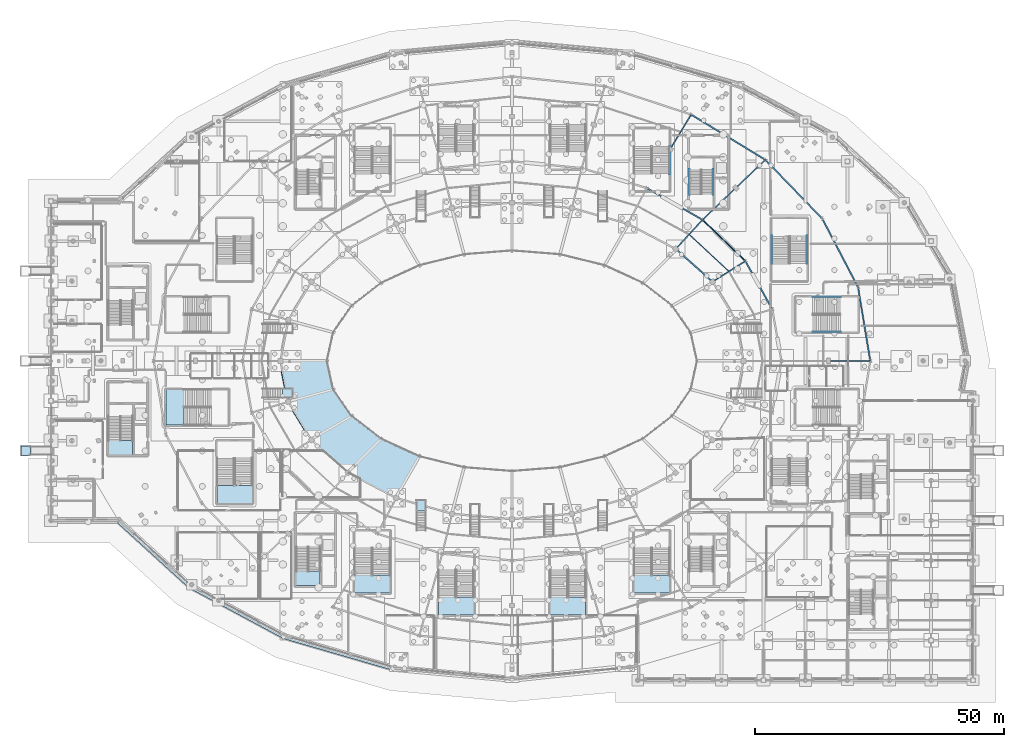
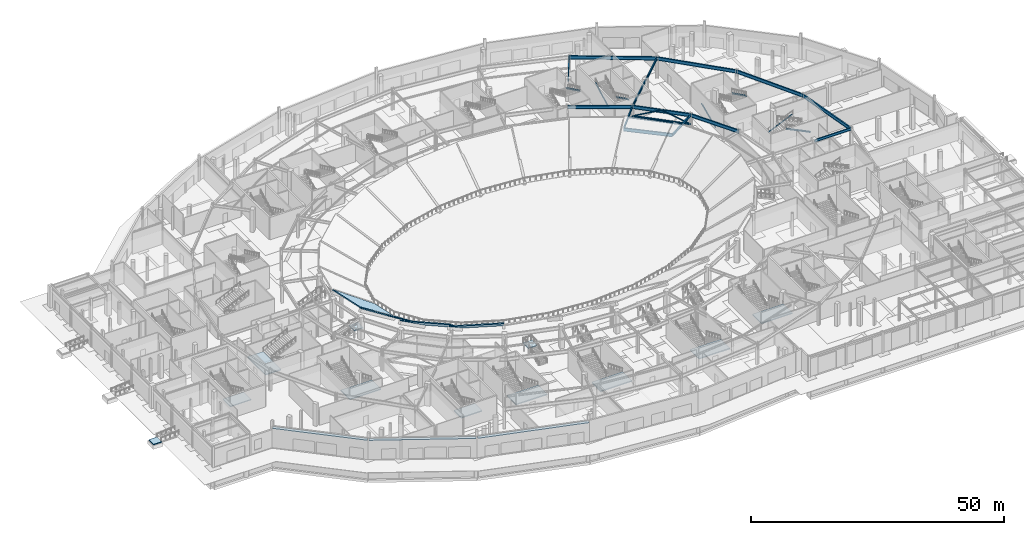
# One storey, part 38 of 93: 16 beams, 15 slabs, 9 members, 3 plates, 10 elements without a shape of their own.
"""IFC4 building model written with IfcOpenShell, lengths in metres."""

from ifc_helpers import new_model, si_unit, direction, frame, origin, origin_2d, place, context, subcontext, project, spatial, polyline, rectangle, hollow_circle, i_section, outline, extrude, material, layer, layer_set, material_profile, profile_set, type_object, element, aggregate, save


model = new_model("IFC4")

# Units and contexts
model_context = context("Model", 3, precision=1e-05, world=origin(), true_north=direction((0.0, 1.0)))
body_context = subcontext(model_context, "Body", "Model", "MODEL_VIEW")
ifc_project = project(units=[si_unit("LENGTHUNIT", "METRE"), si_unit("AREAUNIT", "SQUARE_METRE"), si_unit("VOLUMEUNIT", "CUBIC_METRE"), si_unit("PLANEANGLEUNIT", "RADIAN"), si_unit("MASSUNIT", "GRAM", prefix="KILO")], contexts=[model_context])

# Site, building, storey
site_placement = place(None, origin())
site = spatial("IfcSite", under=ifc_project, at=site_placement, CompositionType="ELEMENT")
building_placement = place(site_placement, origin())
building = spatial("IfcBuilding", under=site, at=building_placement, Name="Kalgoora Escarpment Arena", CompositionType="ELEMENT")
storey_placement = place(building_placement, origin())
storey = spatial("IfcBuildingStorey", under=building, at=storey_placement, Name="L00", CompositionType="ELEMENT", Elevation=0.0)

# Beams
ifc_material_1 = material(Name="Structural steel AS/NZS 3679 (300 MPa)", Category="steel")
ifc_material_profile_1 = material_profile(ifc_material_1, i_section(OverallWidth=0.1708984375, OverallDepth=0.35205078125, WebThickness=0.0068359375, FlangeThickness=0.009765625, at=origin_2d()))
ifc_profile_set_1 = profile_set([ifc_material_profile_1], Name="Structural steel AS/NZS 3679 (300 MPa)")
beam_type_1 = type_object("IfcBeamType", Name="BM-BEAM-360UB44.7", PredefinedType="BEAM", material=ifc_profile_set_1)
beam_1_placement = place(storey_placement, frame((139.165283203125, 84.0, 2.52392578125), z_axis=(-0.719462119733, 0.694531682696, 0.0), x_axis=(-0.694531682696, -0.719462119733, 0.0)))
element("IfcBeam", 1, at=beam_1_placement, inside=storey, type_object=beam_type_1, Name="L00 Portal brace collector beam 360UB44.7", PredefinedType="BEAM", context=body_context, shape_type="SweptSolid", body=[
    extrude(i_section(OverallWidth=0.1708984375, OverallDepth=0.35205078125, WebThickness=0.0068359375, FlangeThickness=0.009765625, at=origin_2d()), origin(), (0.0, 0.0, 1.0), 11.927734375),
])
ifc_material_2 = material(Name="Structural steel AS/NZS 3679 (300 MPa)", Category="steel")
ifc_material_profile_2 = material_profile(ifc_material_2, i_section(OverallWidth=0.172119140625, OverallDepth=0.35888671875, WebThickness=0.008056640625, FlangeThickness=0.012939453125, at=origin_2d()))
ifc_profile_set_2 = profile_set([ifc_material_profile_2], Name="Structural steel AS/NZS 3679 (300 MPa)")
beam_type_2 = type_object("IfcBeamType", Name="BM-BEAM-360UB56.7", PredefinedType="BEAM", material=ifc_profile_set_2)
beam_2_placement = place(storey_placement, frame((135.87890625, 81.929931640625, 4.9404296875), z_axis=(-0.731952134081, 0.681356054801, 0.0), x_axis=(-0.681356054801, -0.731952134081, 0.0)))
element("IfcBeam", 2, at=beam_2_placement, inside=storey, type_object=beam_type_2, Name="L00 Concourse secondary ring beam 360UB56.7", PredefinedType="BEAM", context=body_context, shape_type="SweptSolid", body=[
    extrude(i_section(OverallWidth=0.172119140625, OverallDepth=0.35888671875, WebThickness=0.008056640625, FlangeThickness=0.012939453125, at=origin_2d()), origin(), (0.0, 0.0, 1.0), 10.900390625),
])
ifc_material_3 = material(Name="Structural steel AS/NZS 3679 (300 MPa)", Category="steel")
ifc_material_profile_3 = material_profile(ifc_material_3, i_section(OverallWidth=0.22900390625, OverallDepth=0.612060546875, WebThickness=0.011962890625, FlangeThickness=0.01953125, at=origin_2d()))
ifc_profile_set_3 = profile_set([ifc_material_profile_3], Name="Structural steel AS/NZS 3679 (300 MPa)")
beam_type_3 = type_object("IfcBeamType", Name="BM-GIRDER-610UB125", PredefinedType="USERDEFINED", material=ifc_profile_set_3)
beam_3_placement = place(storey_placement, frame((155.800048828125, 64.0, 4.81396484375), z_axis=(1.0, 0.0, 0.0), x_axis=(0.0, 1.0, 0.0)))
element("IfcBeam", 3, at=beam_3_placement, inside=storey, type_object=beam_type_3, Name="L00 Radial concourse girder 610UB125", ObjectType="GIRDER", PredefinedType="USERDEFINED", context=body_context, shape_type="SweptSolid", body=[
    extrude(i_section(OverallWidth=0.22900390625, OverallDepth=0.612060546875, WebThickness=0.011962890625, FlangeThickness=0.01953125, at=origin_2d()), origin(), (0.0, 0.0, 1.0), 8.39990234375),
])
beam_4_placement = place(storey_placement, frame((132.59228515625, 79.860107421875, 4.81396484375), z_axis=(0.846155154639, 0.532936632516, 0.0), x_axis=(-0.532936632516, 0.846155154639, 0.0)))
element("IfcBeam", 4, at=beam_4_placement, inside=storey, type_object=beam_type_3, Name="L00 Radial concourse girder 610UB125", ObjectType="GIRDER", PredefinedType="USERDEFINED", context=body_context, shape_type="SweptSolid", body=[
    extrude(i_section(OverallWidth=0.22900390625, OverallDepth=0.612060546875, WebThickness=0.011962890625, FlangeThickness=0.01953125, at=origin_2d()), origin(), (0.0, 0.0, 1.0), 7.76806640625),
])
beam_5_placement = place(storey_placement, frame((125.216796875, 86.429443359375, 4.81396484375), z_axis=(0.675731588221, 0.737147760412, 0.0), x_axis=(-0.737147760412, 0.675731588221, 0.0)))
element("IfcBeam", 5, at=beam_5_placement, inside=storey, type_object=beam_type_3, Name="L00 Radial concourse girder 610UB125", ObjectType="GIRDER", PredefinedType="USERDEFINED", context=body_context, shape_type="SweptSolid", body=[
    extrude(i_section(OverallWidth=0.22900390625, OverallDepth=0.612060546875, WebThickness=0.011962890625, FlangeThickness=0.01953125, at=origin_2d()), origin(), (0.0, 0.0, 1.0), 7.9423828125),
])
beam_6_placement = place(storey_placement, frame((130.583740234375, 92.2841796875, 4.81396484375), z_axis=(0.722313931554, 0.691565314546, 0.0), x_axis=(-0.691565314546, 0.722313931554, 0.0)))
element("IfcBeam", 6, at=beam_6_placement, inside=storey, type_object=beam_type_3, Name="L00 Radial concourse girder 610UB125", ObjectType="GIRDER", PredefinedType="USERDEFINED", context=body_context, shape_type="SweptSolid", body=[
    extrude(i_section(OverallWidth=0.22900390625, OverallDepth=0.612060546875, WebThickness=0.011962890625, FlangeThickness=0.01953125, at=origin_2d()), origin(), (0.0, 0.0, 1.0), 9.202392578125),
])
beam_7_placement = place(storey_placement, frame((137.230712890625, 98.648193359375, 4.81396484375), z_axis=(0.724130144905, 0.689663347757, 0.0), x_axis=(-0.689663347757, 0.724130144905, 0.0)))
element("IfcBeam", 7, at=beam_7_placement, inside=storey, type_object=beam_type_3, Name="L00 Radial concourse girder 610UB125", ObjectType="GIRDER", PredefinedType="USERDEFINED", context=body_context, shape_type="SweptSolid", body=[
    extrude(i_section(OverallWidth=0.22900390625, OverallDepth=0.612060546875, WebThickness=0.011962890625, FlangeThickness=0.01953125, at=origin_2d()), origin(), (0.0, 0.0, 1.0), 8.20263671875),
])
beam_8_placement = place(storey_placement, frame((124.10009765625, 106.435302734375, 4.81396484375), z_axis=(0.518407902139, 0.85513346736, 0.0), x_axis=(-0.85513346736, 0.518407902139, 0.0)))
element("IfcBeam", 8, at=beam_8_placement, inside=storey, type_object=beam_type_3, Name="L00 Radial concourse girder 610UB125", ObjectType="GIRDER", PredefinedType="USERDEFINED", context=body_context, shape_type="SweptSolid", body=[
    extrude(i_section(OverallWidth=0.22900390625, OverallDepth=0.612060546875, WebThickness=0.011962890625, FlangeThickness=0.01953125, at=origin_2d()), origin(), (0.0, 0.0, 1.0), 8.1015625),
])
ifc_material_4 = material(Name="Structural steel AS/NZS 3679 (300 MPa)", Category="steel")
ifc_material_profile_4 = material_profile(ifc_material_4, i_section(OverallWidth=0.27490234375, OverallDepth=0.800048828125, WebThickness=0.011962890625, FlangeThickness=0.02197265625, at=origin_2d()))
ifc_profile_set_4 = profile_set([ifc_material_profile_4], Name="Structural steel AS/NZS 3679 (300 MPa)")
beam_type_4 = type_object("IfcBeamType", Name="BM-GIRDER-800WB168", PredefinedType="USERDEFINED", material=ifc_profile_set_4)
beam_9_placement = place(storey_placement, frame((144.56005859375, 74.352783203125, 4.719970703125), z_axis=(-0.488075296374, 0.872801526734, 0.0), x_axis=(-0.872801526734, -0.488075296374, 0.0)))
element("IfcBeam", 9, at=beam_9_placement, inside=storey, type_object=beam_type_4, Name="L00 Circumferential concourse girder RMAIN 800WB168", ObjectType="GIRDER", PredefinedType="USERDEFINED", context=body_context, shape_type="SweptSolid", body=[
    extrude(i_section(OverallWidth=0.27490234375, OverallDepth=0.800048828125, WebThickness=0.011962890625, FlangeThickness=0.02197265625, at=origin_2d()), origin(), (0.0, 0.0, 1.0), 11.05322265625),
])
beam_10_placement = place(storey_placement, frame((132.59228515625, 79.860107421875, 4.719970703125), z_axis=(-0.746737965203, 0.665118343849, 0.0), x_axis=(-0.665118343849, -0.746737965203, 0.0)))
element("IfcBeam", 10, at=beam_10_placement, inside=storey, type_object=beam_type_4, Name="L00 Circumferential concourse girder RMID 800WB168", ObjectType="GIRDER", PredefinedType="USERDEFINED", context=body_context, shape_type="SweptSolid", body=[
    extrude(i_section(OverallWidth=0.27490234375, OverallDepth=0.800048828125, WebThickness=0.011962890625, FlangeThickness=0.02197265625, at=origin_2d()), origin(), (0.0, 0.0, 1.0), 9.876953125),
])
beam_11_placement = place(storey_placement, frame((139.165283203125, 84.0, 4.719970703125), z_axis=(-0.719462119733, 0.694531682696, 0.0), x_axis=(-0.694531682696, -0.719462119733, 0.0)))
element("IfcBeam", 11, at=beam_11_placement, inside=storey, type_object=beam_type_4, Name="L00 Circumferential concourse girder RMAIN 800WB168", ObjectType="GIRDER", PredefinedType="USERDEFINED", context=body_context, shape_type="SweptSolid", body=[
    extrude(i_section(OverallWidth=0.27490234375, OverallDepth=0.800048828125, WebThickness=0.011962890625, FlangeThickness=0.02197265625, at=origin_2d()), origin(), (0.0, 0.0, 1.0), 11.927734375),
])
beam_12_placement = place(storey_placement, frame((130.583740234375, 92.2841796875, 4.719970703125), z_axis=(-0.869373733104, 0.494155149917, 0.0), x_axis=(-0.494155149917, -0.869373733104, 0.0)))
element("IfcBeam", 12, at=beam_12_placement, inside=storey, type_object=beam_type_4, Name="L00 Circumferential concourse girder RMAIN 800WB168", ObjectType="GIRDER", PredefinedType="USERDEFINED", context=body_context, shape_type="SweptSolid", body=[
    extrude(i_section(OverallWidth=0.27490234375, OverallDepth=0.800048828125, WebThickness=0.011962890625, FlangeThickness=0.02197265625, at=origin_2d()), origin(), (0.0, 0.0, 1.0), 12.8642578125),
])
ifc_material_5 = material(Name="Structural steel AS/NZS 3679 (300 MPa)", Category="steel")
ifc_material_profile_5 = material_profile(ifc_material_5, i_section(OverallWidth=0.27490234375, OverallDepth=0.800048828125, WebThickness=0.011962890625, FlangeThickness=0.02197265625, at=origin_2d()))
ifc_profile_set_5 = profile_set([ifc_material_profile_5], Name="Structural steel AS/NZS 3679 (300 MPa)")
beam_type_5 = type_object("IfcBeamType", Name="BM-SPANDREL-800WB168", PredefinedType="SPANDREL", material=ifc_profile_set_5)
beam_13_placement = place(storey_placement, frame((164.199951171875, 64.0, 4.719970703125), z_axis=(-0.163602052226, 0.986526415514, 0.0), x_axis=(-0.986526415514, -0.163602052226, 0.0)))
element("IfcBeam", 13, at=beam_13_placement, inside=storey, type_object=beam_type_5, Name="L00 Circumferential concourse girder RCONC2 800WB168", PredefinedType="SPANDREL", context=body_context, shape_type="SweptSolid", body=[
    extrude(i_section(OverallWidth=0.27490234375, OverallDepth=0.800048828125, WebThickness=0.011962890625, FlangeThickness=0.02197265625, at=origin_2d()), origin(), (0.0, 0.0, 1.0), 14.9541015625),
])
beam_14_placement = place(storey_placement, frame((161.75341796875, 78.752685546875, 4.719970703125), z_axis=(-0.462583225327, 0.886575862319, 0.0), x_axis=(-0.886575862319, -0.462583225327, 0.0)))
element("IfcBeam", 14, at=beam_14_placement, inside=storey, type_object=beam_type_5, Name="L00 Circumferential concourse girder RCONC2 800WB168", PredefinedType="SPANDREL", context=body_context, shape_type="SweptSolid", body=[
    extrude(i_section(OverallWidth=0.27490234375, OverallDepth=0.800048828125, WebThickness=0.011962890625, FlangeThickness=0.02197265625, at=origin_2d()), origin(), (0.0, 0.0, 1.0), 15.506103515625),
])
beam_15_placement = place(storey_placement, frame((154.58056640625, 92.5, 4.719970703125), z_axis=(-0.694974435465, 0.719034445663, 0.0), x_axis=(-0.719034445663, -0.694974435465, 0.0)))
element("IfcBeam", 15, at=beam_15_placement, inside=storey, type_object=beam_type_5, Name="L00 Circumferential concourse girder RCONC2 800WB168", PredefinedType="SPANDREL", context=body_context, shape_type="SweptSolid", body=[
    extrude(i_section(OverallWidth=0.27490234375, OverallDepth=0.800048828125, WebThickness=0.011962890625, FlangeThickness=0.02197265625, at=origin_2d()), origin(), (0.0, 0.0, 1.0), 16.418212890625),
])
beam_16_placement = place(storey_placement, frame((143.17041015625, 104.30517578125, 4.719970703125), z_axis=(-0.854030640858, 0.520222706613, 0.0), x_axis=(-0.520222706613, -0.854030640858, 0.0)))
element("IfcBeam", 16, at=beam_16_placement, inside=storey, type_object=beam_type_5, Name="L00 Circumferential concourse girder RCONC2 800WB168", PredefinedType="SPANDREL", context=body_context, shape_type="SweptSolid", body=[
    extrude(i_section(OverallWidth=0.27490234375, OverallDepth=0.800048828125, WebThickness=0.011962890625, FlangeThickness=0.02197265625, at=origin_2d()), origin(), (0.0, 0.0, 1.0), 17.411865234375),
])

# Members
ifc_material_6 = material(Name="Structural steel C350 (350 MPa)", Category="steel")
ifc_material_profile_6 = material_profile(ifc_material_6, hollow_circle(Radius=0.136474609375, WallThickness=0.00927734375, at=origin_2d()))
ifc_profile_set_6 = profile_set([ifc_material_profile_6], Name="Structural steel C350 (350 MPa)")
member_type_1 = type_object("IfcMemberType", Name="MEM-BRACE-CHS273", PredefinedType="BRACE", material=ifc_profile_set_6)
for number, where, z_axis, x_axis, name in (
    (17, (139.165283203125, 84.0, 2.52001953125), (-0.66628014201, 0.643192539934, 0.377324964633), (-0.694531682696, -0.719462119733, 0.0), "L00 concentric lateral brace R03-1"),
    (18, (130.583740234375, 92.2841796875, 2.52001953125), (0.66628014201, -0.643192539934, 0.377324964633), (0.694531682696, 0.719462119733, 0.0), "L00 concentric lateral brace R03-2"),
):
    element("IfcMember", number, at=place(storey_placement, frame(where, z_axis=z_axis, x_axis=x_axis)), inside=storey, type_object=member_type_1, Name=name, PredefinedType="BRACE", context=body_context, shape_type="SweptSolid", body=[
        extrude(hollow_circle(Radius=0.136474609375, WallThickness=0.00927734375, at=origin_2d()), origin(), (0.0, 0.0, 1.0), 6.43994140625),
    ])
ifc_material_7 = material(Name="Structural steel AS/NZS 3679 (300 MPa)", Category="steel")
ifc_material_profile_7 = material_profile(ifc_material_7, i_section(OverallWidth=0.090087890625, OverallDepth=0.300048828125, WebThickness=0.008056640625, FlangeThickness=0.01611328125, at=origin_2d()))
ifc_profile_set_7 = profile_set([ifc_material_profile_7], Name="Structural steel AS/NZS 3679 (300 MPa)")
member_type_2 = type_object("IfcMemberType", Name="MEM-STRINGER-PFC", PredefinedType="STRINGER", material=ifc_profile_set_7)
member_1_placement = place(storey_placement, frame((132.72998046875, 102.31005859375, 0.219970703125), z_axis=(0.0, -0.89552873601, 0.445003688727), x_axis=(1.0, 0.0, 0.0)))
element("IfcMember", 19, at=member_1_placement, inside=storey, type_object=member_type_2, Name="ST04 L00 steel stair stringer 1", PredefinedType="STRINGER", context=body_context, shape_type="SweptSolid", body=[
    extrude(i_section(OverallWidth=0.090087890625, OverallDepth=0.300048828125, WebThickness=0.008056640625, FlangeThickness=0.01611328125, at=origin_2d()), origin(), (0.0, 0.0, 1.0), 5.48291015625),
])
member_2_placement = place(storey_placement, frame((127.969970703125, 97.39990234375, 2.659912109375), z_axis=(0.0, 0.876245342812, 0.481865229291), x_axis=(-1.0, 0.0, 0.0)))
element("IfcMember", 20, at=member_2_placement, inside=storey, type_object=member_type_2, Name="ST04 L00 steel stair stringer 2", PredefinedType="STRINGER", context=body_context, shape_type="SweptSolid", body=[
    extrude(i_section(OverallWidth=0.090087890625, OverallDepth=0.300048828125, WebThickness=0.008056640625, FlangeThickness=0.01611328125, at=origin_2d()), origin(), (0.0, 0.0, 1.0), 5.603515625),
])
member_3_placement = place(storey_placement, frame((123.929931640625, 106.9951171875, 2.659912109375), z_axis=(0.0, -0.897817331148, 0.440368073196), x_axis=(1.0, 0.0, 0.0)))
element("IfcMember", 21, at=member_3_placement, inside=storey, type_object=member_type_2, Name="ST12 L00 steel stair stringer 2", PredefinedType="STRINGER", context=body_context, shape_type="SweptSolid", body=[
    extrude(i_section(OverallWidth=0.090087890625, OverallDepth=0.300048828125, WebThickness=0.008056640625, FlangeThickness=0.01611328125, at=origin_2d()), origin(), (0.0, 0.0, 1.0), 6.131591796875),
])
member_4_placement = place(storey_placement, frame((152.68994140625, 76.830078125, 0.219970703125), z_axis=(0.914229045155, 0.0, 0.405197794904), x_axis=(0.0, 1.0, 0.0)))
element("IfcMember", 22, at=member_4_placement, inside=storey, type_object=member_type_2, Name="ST21 L00 steel stair stringer 1", PredefinedType="STRINGER", context=body_context, shape_type="SweptSolid", body=[
    extrude(i_section(OverallWidth=0.090087890625, OverallDepth=0.300048828125, WebThickness=0.008056640625, FlangeThickness=0.01611328125, at=origin_2d()), origin(), (0.0, 0.0, 1.0), 6.021484375),
])
member_5_placement = place(storey_placement, frame((158.195068359375, 69.77001953125, 2.659912109375), z_axis=(-0.897817331148, 0.0, 0.440368073196), x_axis=(0.0, -1.0, 0.0)))
element("IfcMember", 23, at=member_5_placement, inside=storey, type_object=member_type_2, Name="ST21 L00 steel stair stringer 2", PredefinedType="STRINGER", context=body_context, shape_type="SweptSolid", body=[
    extrude(i_section(OverallWidth=0.090087890625, OverallDepth=0.300048828125, WebThickness=0.008056640625, FlangeThickness=0.01611328125, at=origin_2d()), origin(), (0.0, 0.0, 1.0), 6.131591796875),
])
member_6_placement = place(storey_placement, frame((144.469970703125, 83.489990234375, 0.219970703125), z_axis=(0.0, 0.914229045155, 0.405197794904), x_axis=(-1.0, 0.0, 0.0)))
element("IfcMember", 24, at=member_6_placement, inside=storey, type_object=member_type_2, Name="ST23 L00 steel stair stringer 1", PredefinedType="STRINGER", context=body_context, shape_type="SweptSolid", body=[
    extrude(i_section(OverallWidth=0.090087890625, OverallDepth=0.300048828125, WebThickness=0.008056640625, FlangeThickness=0.01611328125, at=origin_2d()), origin(), (0.0, 0.0, 1.0), 6.021484375),
])
member_7_placement = place(storey_placement, frame((151.530029296875, 88.9951171875, 2.659912109375), z_axis=(0.0, -0.897817331148, 0.440368073196), x_axis=(1.0, 0.0, 0.0)))
element("IfcMember", 25, at=member_7_placement, inside=storey, type_object=member_type_2, Name="ST23 L00 steel stair stringer 2", PredefinedType="STRINGER", context=body_context, shape_type="SweptSolid", body=[
    extrude(i_section(OverallWidth=0.090087890625, OverallDepth=0.300048828125, WebThickness=0.008056640625, FlangeThickness=0.01611328125, at=origin_2d()), origin(), (0.0, 0.0, 1.0), 6.131591796875),
])

# Plates
ifc_material_8 = material(Name="Champagne anodised Art Deco solar brise-soleil hood", Category="aluminium")
ifc_layer_1 = layer(ifc_material_8, 0.1201171875)
ifc_layer_set_1 = layer_set([ifc_layer_1], Name="PLT-DECO-EYEBROW")
plate_type = type_object("IfcPlateType", Name="PLT-DECO-EYEBROW", PredefinedType="SHEET", material=ifc_layer_set_1)
plate_1_placement = place(storey_placement, frame((57.77001953125, 5.464599609375, 4.869873046875), z_axis=(0.0, 0.0, 1.0), x_axis=(-0.960488224179, 0.278320626641, 0.0)))
element("IfcPlate", 26, at=plate_1_placement, inside=storey, type_object=plate_type, Name="L00 Art Deco horizontal solar brise-soleil eyebrow 007", PredefinedType="SHEET", context=body_context, shape_type="SweptSolid", body=[
    extrude(rectangle(XDim=22.60107421875, YDim=0.719970703125, at=origin_2d()), origin(), (0.0, 0.0, 1.0), 0.1201171875),
])
plate_2_placement = place(storey_placement, frame((37.30859375, 13.72900390625, 4.869873046875), z_axis=(0.0, 0.0, 1.0), x_axis=(-0.881055904267, 0.47301214948, 0.0)))
element("IfcPlate", 27, at=plate_2_placement, inside=storey, type_object=plate_type, Name="L00 Art Deco horizontal solar brise-soleil eyebrow 008", PredefinedType="SHEET", context=body_context, shape_type="SweptSolid", body=[
    extrude(rectangle(XDim=21.136962890625, YDim=0.719970703125, at=origin_2d()), origin(), (0.0, 0.0, 1.0), 0.1201171875),
])
plate_3_placement = place(storey_placement, frame((20.652587890625, 25.369384765625, 4.869873046875), z_axis=(0.0, 0.0, 1.0), x_axis=(-0.739043499209, 0.673657707057, 0.0)))
element("IfcPlate", 28, at=plate_3_placement, inside=storey, type_object=plate_type, Name="L00 Art Deco horizontal solar brise-soleil eyebrow 009", PredefinedType="SHEET", context=body_context, shape_type="SweptSolid", body=[
    extrude(rectangle(XDim=19.1640625, YDim=0.719970703125, at=origin_2d()), origin(), (0.0, 0.0, 1.0), 0.1201171875),
])

# Slab
ifc_material_9 = material(Name="Concrete N40 (fc' 40 MPa)", Category="concrete")
ifc_layer_2 = layer(ifc_material_9, 0.199951171875)
ifc_layer_set_2 = layer_set([ifc_layer_2], Name="SLB-RAMP-LAND-200")
slab_type_1 = type_object("IfcSlabType", Name="SLB-RAMP-LAND-200", PredefinedType="LANDING", material=ifc_layer_set_2)
slab_1_placement = place(storey_placement, frame((0.0, 0.0, -0.5)))
element("IfcSlab", 29, at=slab_1_placement, inside=storey, type_object=slab_type_1, Name="Accessible ramp RMP-01 lower threshold landing", PredefinedType="LANDING", context=body_context, shape_type="SweptSolid", body=[
    extrude(outline(polyline([(-6.0, 45.050048828125), (-4.10009765625, 45.050048828125), (-4.10009765625, 46.949951171875), (-6.0, 46.949951171875), (-6.0, 45.050048828125)])), origin(), (0.0, 0.0, 1.0), 0.199951171875),
])

# Stair, slab
ifc_material_10 = material(Name="Concrete N40 (fc' 40 MPa)", Category="concrete")
stair_type_1 = type_object("IfcStairType", Name="STR-EXIT-2", PredefinedType="HALF_TURN_STAIR", material=ifc_material_10)
stair_1_placement = place(storey_placement, origin())
stair_1 = element("IfcStair", 30, at=stair_1_placement, inside=storey, type_object=stair_type_1, Name="Fire-isolated exit stair ST02 (L00)", PredefinedType="HALF_TURN_STAIR")
ifc_material_11 = material(Name="Concrete N40 (fc' 40 MPa)", Category="concrete")
ifc_layer_3 = layer(ifc_material_11, 0.219970703125)
ifc_layer_set_3 = layer_set([ifc_layer_3], Name="SLB-ST-LAND-220")
slab_type_2 = type_object("IfcSlabType", Name="SLB-ST-LAND-220", PredefinedType="LANDING", material=ifc_layer_set_3)
slab_2_placement = place(storey_placement, frame((0.0, 0.0, 2.47998046875)))
slab_2 = element("IfcSlab", 31, at=slab_2_placement, type_object=slab_type_2, Name="ST02 L00 half-landing", PredefinedType="LANDING", context=body_context, shape_type="SweptSolid", body=[
    extrude(outline(polyline([(16.35009765625, 48.050048828125), (16.35009765625, 45.14990234375), (11.550048828125, 45.14990234375), (11.550048828125, 48.050048828125), (16.35009765625, 48.050048828125)])), origin(), (0.0, 0.0, 1.0), 0.219970703125),
])
aggregate(stair_1, [slab_2])

ifc_material_12 = material(Name="Concrete N40 (fc' 40 MPa)", Category="concrete")
stair_type_2 = type_object("IfcStairType", Name="STR-EXIT-1", PredefinedType="HALF_TURN_STAIR", material=ifc_material_12)
stair_2_placement = place(storey_placement, origin())
stair_2 = element("IfcStair", 32, at=stair_2_placement, inside=storey, type_object=stair_type_2, Name="Fire-isolated exit stair ST05 (L00)", PredefinedType="HALF_TURN_STAIR")
slab_3_placement = place(storey_placement, frame((0.0, 0.0, 2.47998046875)))
slab_3 = element("IfcSlab", 33, at=slab_3_placement, type_object=slab_type_2, Name="ST05 L00 half-landing", PredefinedType="LANDING", context=body_context, shape_type="SweptSolid", body=[
    extrude(outline(polyline([(53.949951171875, 21.85009765625), (53.949951171875, 18.949951171875), (49.14990234375, 18.949951171875), (49.14990234375, 21.85009765625), (53.949951171875, 21.85009765625)])), origin(), (0.0, 0.0, 1.0), 0.219970703125),
])
aggregate(stair_2, [slab_3])

ifc_material_13 = material(Name="Precast concrete N50 (fc' 50 MPa)", Category="concrete")
stair_type_3 = type_object("IfcStairType", Name="STR-STAD-1", PredefinedType="HALF_TURN_STAIR", material=ifc_material_13)
stair_3_placement = place(storey_placement, origin())
stair_3 = element("IfcStair", 34, at=stair_3_placement, inside=storey, type_object=stair_type_3, Name="Fire-isolated exit stair ST13 (L00)", PredefinedType="HALF_TURN_STAIR")
slab_4_placement = place(storey_placement, frame((0.0, 0.0, 2.47998046875)))
slab_4 = element("IfcSlab", 35, at=slab_4_placement, type_object=slab_type_2, Name="ST13 L00 half-landing", PredefinedType="LANDING", context=body_context, shape_type="SweptSolid", body=[
    extrude(outline(polyline([(67.949951171875, 21.054931640625), (67.949951171875, 17.449951171875), (60.85009765625, 17.449951171875), (60.85009765625, 21.054931640625), (67.949951171875, 21.054931640625)])), origin(), (0.0, 0.0, 1.0), 0.219970703125),
])
aggregate(stair_3, [slab_4])

ifc_material_14 = material(Name="Precast concrete N50 (fc' 50 MPa)", Category="concrete")
stair_type_4 = type_object("IfcStairType", Name="STR-STAD-2", PredefinedType="HALF_TURN_STAIR", material=ifc_material_14)
stair_4_placement = place(storey_placement, origin())
stair_4 = element("IfcStair", 36, at=stair_4_placement, inside=storey, type_object=stair_type_4, Name="Fire-isolated exit stair ST14 (L00)", PredefinedType="HALF_TURN_STAIR")
slab_5_placement = place(storey_placement, frame((0.0, 0.0, 2.47998046875)))
slab_5 = element("IfcSlab", 37, at=slab_5_placement, type_object=slab_type_2, Name="ST14 L00 half-landing", PredefinedType="LANDING", context=body_context, shape_type="SweptSolid", body=[
    extrude(outline(polyline([(84.75, 16.655029296875), (84.75, 13.050048828125), (77.64990234375, 13.050048828125), (77.64990234375, 16.655029296875), (84.75, 16.655029296875)])), origin(), (0.0, 0.0, 1.0), 0.219970703125),
])
aggregate(stair_4, [slab_5])

ifc_material_15 = material(Name="Precast concrete N50 (fc' 50 MPa)", Category="concrete")
stair_type_5 = type_object("IfcStairType", Name="STR-STAD-3", PredefinedType="HALF_TURN_STAIR", material=ifc_material_15)
stair_5_placement = place(storey_placement, origin())
stair_5 = element("IfcStair", 38, at=stair_5_placement, inside=storey, type_object=stair_type_5, Name="Fire-isolated exit stair ST15 (L00)", PredefinedType="HALF_TURN_STAIR")
slab_6_placement = place(storey_placement, frame((0.0, 0.0, 2.47998046875)))
slab_6 = element("IfcSlab", 39, at=slab_6_placement, type_object=slab_type_2, Name="ST15 L00 half-landing", PredefinedType="LANDING", context=body_context, shape_type="SweptSolid", body=[
    extrude(outline(polyline([(107.14990234375, 16.655029296875), (107.14990234375, 13.050048828125), (100.050048828125, 13.050048828125), (100.050048828125, 16.655029296875), (107.14990234375, 16.655029296875)])), origin(), (0.0, 0.0, 1.0), 0.219970703125),
])
aggregate(stair_5, [slab_6])

ifc_material_16 = material(Name="Precast concrete N50 (fc' 50 MPa)", Category="concrete")
stair_type_6 = type_object("IfcStairType", Name="STR-STAD-4", PredefinedType="HALF_TURN_STAIR", material=ifc_material_16)
stair_6_placement = place(storey_placement, origin())
stair_6 = element("IfcStair", 40, at=stair_6_placement, inside=storey, type_object=stair_type_6, Name="Fire-isolated exit stair ST16 (L00)", PredefinedType="HALF_TURN_STAIR")
slab_7_placement = place(storey_placement, frame((0.0, 0.0, 2.47998046875)))
slab_7 = element("IfcSlab", 41, at=slab_7_placement, type_object=slab_type_2, Name="ST16 L00 half-landing", PredefinedType="LANDING", context=body_context, shape_type="SweptSolid", body=[
    extrude(outline(polyline([(123.949951171875, 21.054931640625), (123.949951171875, 17.449951171875), (116.85009765625, 17.449951171875), (116.85009765625, 21.054931640625), (123.949951171875, 21.054931640625)])), origin(), (0.0, 0.0, 1.0), 0.219970703125),
])
aggregate(stair_6, [slab_7])

stair_7_placement = place(storey_placement, origin())
stair_7 = element("IfcStair", 42, at=stair_7_placement, inside=storey, type_object=stair_type_4, Name="Fire-isolated exit stair ST18 (L00)", PredefinedType="HALF_TURN_STAIR")
slab_8_placement = place(storey_placement, frame((0.0, 0.0, 2.47998046875)))
slab_8 = element("IfcSlab", 43, at=slab_8_placement, type_object=slab_type_2, Name="ST18 L00 half-landing", PredefinedType="LANDING", context=body_context, shape_type="SweptSolid", body=[
    extrude(outline(polyline([(26.655029296875, 51.14990234375), (23.050048828125, 51.14990234375), (23.050048828125, 58.25), (26.655029296875, 58.25), (26.655029296875, 51.14990234375)])), origin(), (0.0, 0.0, 1.0), 0.219970703125),
])
aggregate(stair_7, [slab_8])

stair_8_placement = place(storey_placement, origin())
stair_8 = element("IfcStair", 44, at=stair_8_placement, inside=storey, type_object=stair_type_6, Name="Fire-isolated exit stair ST20 (L00)", PredefinedType="HALF_TURN_STAIR")
slab_9_placement = place(storey_placement, frame((0.0, 0.0, 2.47998046875)))
slab_9 = element("IfcSlab", 45, at=slab_9_placement, type_object=slab_type_2, Name="ST20 L00 half-landing", PredefinedType="LANDING", context=body_context, shape_type="SweptSolid", body=[
    extrude(outline(polyline([(40.35009765625, 39.054931640625), (40.35009765625, 35.449951171875), (33.25, 35.449951171875), (33.25, 39.054931640625), (40.35009765625, 39.054931640625)])), origin(), (0.0, 0.0, 1.0), 0.219970703125),
])
aggregate(stair_8, [slab_9])

ifc_material_17 = material(Name="Precast concrete N50 (fc' 50 MPa)", Category="concrete")
stair_type_7 = type_object("IfcStairType", Name="STR-VOM-1920", PredefinedType="STRAIGHT_RUN_STAIR", material=ifc_material_17)
stair_9_placement = place(storey_placement, origin())
stair_9 = element("IfcStair", 46, at=stair_9_placement, inside=storey, type_object=stair_type_7, Name="Bowl vomitory stair VST05", PredefinedType="STRAIGHT_RUN_STAIR")
slab_10_placement = place(storey_placement, frame((0.0, 0.0, 1.72998046875)))
slab_10 = element("IfcSlab", 47, at=slab_10_placement, type_object=slab_type_2, Name="Vomitory stair VST05 upper landing", PredefinedType="LANDING", context=body_context, shape_type="SweptSolid", body=[
    extrude(outline(polyline([(73.14990234375, 33.9599609375), (75.25, 33.9599609375), (75.25, 36.06005859375), (73.14990234375, 36.06005859375), (73.14990234375, 33.9599609375)])), origin(), (0.0, 0.0, 1.0), 0.219970703125),
])
aggregate(stair_9, [slab_10])

stair_10_placement = place(storey_placement, origin())
stair_10 = element("IfcStair", 48, at=stair_10_placement, inside=storey, type_object=stair_type_7, Name="Bowl vomitory stair VST09", PredefinedType="STRAIGHT_RUN_STAIR")
slab_11_placement = place(storey_placement, frame((0.0, 0.0, 1.72998046875)))
slab_11 = element("IfcSlab", 49, at=slab_11_placement, type_object=slab_type_2, Name="Vomitory stair VST09 upper landing", PredefinedType="LANDING", context=body_context, shape_type="SweptSolid", body=[
    extrude(outline(polyline([(46.360107421875, 56.449951171875), (48.4599609375, 56.449951171875), (48.4599609375, 58.550048828125), (46.360107421875, 58.550048828125), (46.360107421875, 56.449951171875)])), origin(), (0.0, 0.0, 1.0), 0.219970703125),
])
aggregate(stair_10, [slab_11])

# Slabs
ifc_material_18 = material(Name="Precast concrete N50 (fc' 50 MPa)", Category="concrete")
ifc_layer_4 = layer(ifc_material_18, 0.2099609375)
ifc_layer_set_4 = layer_set([ifc_layer_4], Name="SLB-TIER-LOW-A")
slab_type_3 = type_object("IfcSlabType", Name="SLB-TIER-LOW-A", PredefinedType="USERDEFINED", material=ifc_layer_set_4)
slab_12_placement = place(storey_placement, frame((55.39990234375, 64.0, 0.679931640625), z_axis=(0.575555591018, 0.127438573004, 0.807771732458), x_axis=(0.216178817936, -0.976353787655, 2.731122e-06)))
element("IfcSlab", 50, at=slab_12_placement, inside=storey, type_object=slab_type_3, Name="Stand Lower Tier Sector 13", ObjectType="SEATING TIER", PredefinedType="USERDEFINED", context=body_context, shape_type="SweptSolid", body=[
    extrude(outline(polyline([(0.0, 0.0), (5.831993848950172, 0.0), (6.25331785010372, -11.872876943023655), (-2.075266304256496, -11.603329678974102), (0.0, 0.0)])), origin(), (0.0, 0.0, -1.0), 0.2099609375),
])
slab_13_placement = place(storey_placement, frame((60.357177734375, 53.0, 0.679931640625), z_axis=(0.373604283584, 0.482140261874, 0.792439655222), x_axis=(0.790452078359, -0.612523886684, 7.754139e-06)))
element("IfcSlab", 51, at=slab_13_placement, inside=storey, type_object=slab_type_3, Name="Stand Lower Tier Sector 15", ObjectType="SEATING TIER", PredefinedType="USERDEFINED", context=body_context, shape_type="SweptSolid", body=[
    extrude(outline(polyline([(0.0, 0.0), (7.43866727352821, 4.440892098500626e-16), (6.230739278501272, -12.01822157119908), (-3.631593186676156, -11.214312883460988), (0.0, 0.0)])), origin(), (0.0, 0.0, -1.0), 0.2099609375),
])
ifc_material_19 = material(Name="Precast concrete N50 (fc' 50 MPa)", Category="concrete")
ifc_layer_5 = layer(ifc_material_19, 0.22998046875)
ifc_layer_set_5 = layer_set([ifc_layer_5], Name="SLB-TIER-LOW-B")
slab_type_4 = type_object("IfcSlabType", Name="SLB-TIER-LOW-B", PredefinedType="USERDEFINED", material=ifc_layer_set_5)
slab_14_placement = place(storey_placement, frame((56.66064453125, 58.305908203125, 0.679931640625), z_axis=(0.495480667466, 0.345175697622, 0.797090111555), x_axis=(0.571627118854, -0.820513520222, -1.111498e-05)))
element("IfcSlab", 52, at=slab_14_placement, inside=storey, type_object=slab_type_4, Name="Stand Lower Tier Sector 14", ObjectType="SEATING TIER", PredefinedType="USERDEFINED", context=body_context, shape_type="SweptSolid", body=[
    extrude(outline(polyline([(0.0, 0.0), (6.466608042371481, -4.440892098500626e-16), (5.65254468808086, -12.00053049486565), (-3.2619421177391894, -11.327088227064712), (0.0, 0.0)])), origin(), (0.0, 0.0, -1.0), 0.22998046875),
])
slab_15_placement = place(storey_placement, frame((66.237060546875, 48.443603515625, 0.679931640625), z_axis=(0.251284332603, 0.550740696475, 0.795952806035), x_axis=(0.909781556609, -0.415087363268, -1.0487711e-05)))
element("IfcSlab", 53, at=slab_15_placement, inside=storey, type_object=slab_type_4, Name="Stand Lower Tier Sector 16", ObjectType="SEATING TIER", PredefinedType="USERDEFINED", context=body_context, shape_type="SweptSolid", body=[
    extrude(outline(polyline([(0.0, 0.0), (8.422696474431866, 0.0), (7.5068682168949925, -12.005941676368117), (-3.3583205486824657, -11.299027452657914), (0.0, 0.0)])), origin(), (0.0, 0.0, -1.0), 0.22998046875),
])

save(model, "model.ifc")
